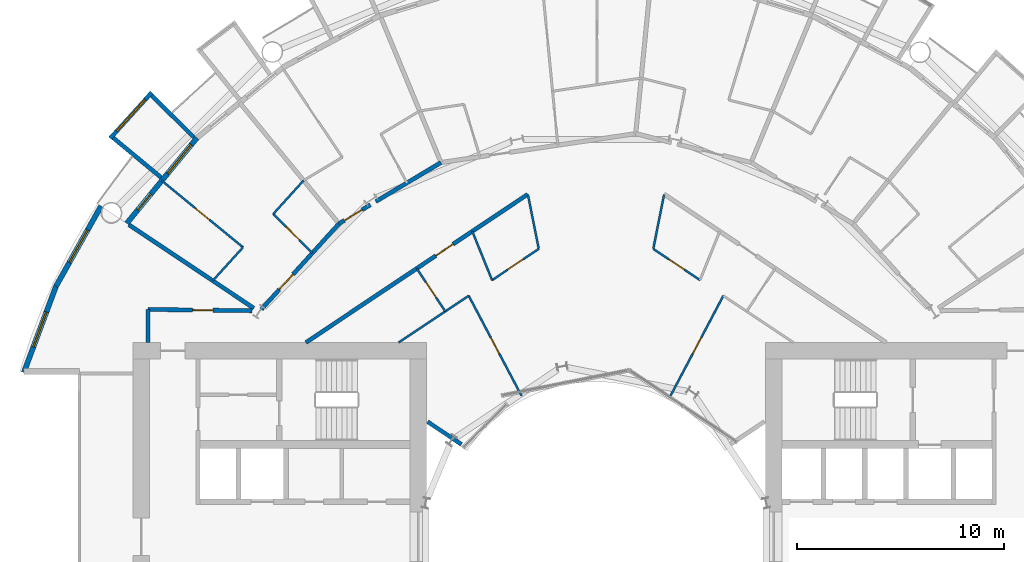
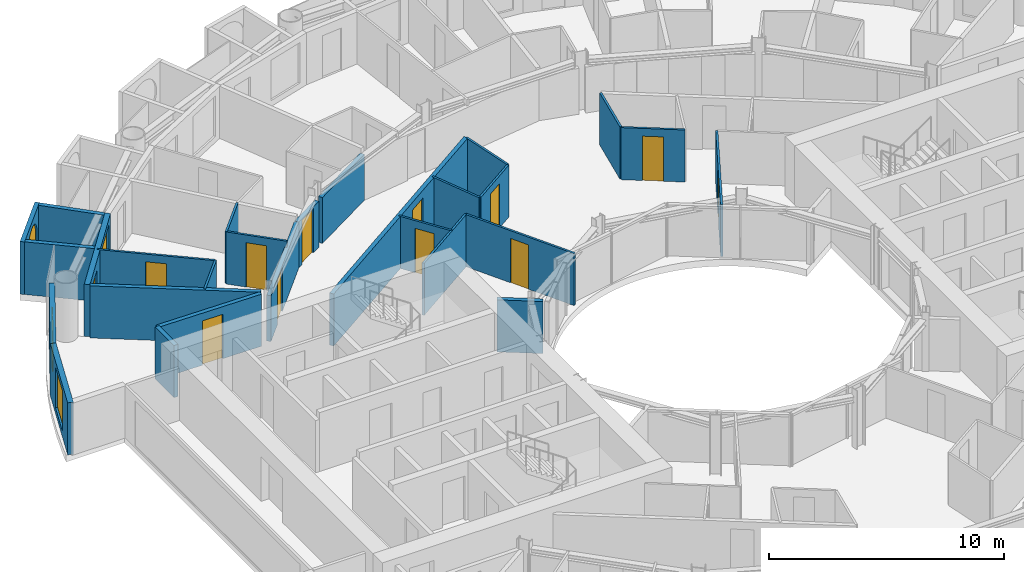
# One storey, part 18 of 26: 27 walls, 12 doors, 4 windows, 16 openings.
"""IFC4 building model written with IfcOpenShell, lengths in metres."""

from ifc_helpers import new_model, si_unit, direction, frame, frame_2d, origin, place, context, subcontext, project, spatial, rectangle, circle, extrude, material, layer, layer_set, type_object, element, fill, save


model = new_model("IFC4")

# Units and contexts
model_context = context("Model", 3, precision=1e-05, world=origin(), true_north=direction((0.0, 1.0)))
body_context = subcontext(model_context, "Body", "Model", "MODEL_VIEW")
ifc_project = project(units=[si_unit("LENGTHUNIT", "METRE"), si_unit("AREAUNIT", "SQUARE_METRE"), si_unit("VOLUMEUNIT", "CUBIC_METRE"), si_unit("PLANEANGLEUNIT", "RADIAN"), si_unit("MASSUNIT", "GRAM", prefix="KILO")], contexts=[model_context])

# Site, building, storey
site_placement = place(None, origin())
site = spatial("IfcSite", under=ifc_project, at=site_placement, CompositionType="ELEMENT")
building_placement = place(site_placement, origin())
building = spatial("IfcBuilding", under=site, at=building_placement, Name="Maasbend Ring Residences", CompositionType="ELEMENT")
storey_placement = place(building_placement, frame((0.0, 0.0, 28.89990234375)))
storey = spatial("IfcBuildingStorey", under=building, at=storey_placement, Name="L07", CompositionType="ELEMENT", Elevation=28.89990234375)

# Wall, opening, door
ifc_material_1 = material(Name="Concrete C30/37", Category="concrete")
ifc_layer_1 = layer(ifc_material_1, 0.199951171875)
ifc_layer_set_1 = layer_set([ifc_layer_1], Name="Concrete C30/37")
wall_type_1 = type_object("IfcWallType", Name="CORRIDOR WALL 200 CONCRETE", PredefinedType="PARTITIONING", material=ifc_layer_set_1)
wall_1_placement = place(storey_placement, frame((-21.675048828125, 11.0, 0.0), z_axis=(0.0, 0.0, 1.0), x_axis=(0.99992425795, -0.012307654658, 0.0)))
wall_1 = element("IfcWall", 1, at=wall_1_placement, inside=storey, type_object=wall_type_1, Name="U-L07-w078", PredefinedType="PARTITIONING", context=body_context, shape_type="SweptSolid", body=[
    extrude(rectangle(XDim=5.03857421875, YDim=0.199951171875, at=frame_2d((2.519287109375, 0.0))), origin(), (0.0, 0.0, 1.0), 2.7001953125),
])
opening_1_placement = place(wall_1_placement, frame((2.155029296875, 0.0, 0.0)))
opening_1 = element("IfcOpeningElement", 2, at=opening_1_placement, cuts=wall_1, Name="Opening D-0758", PredefinedType="OPENING", context=body_context, shape_type="SweptSolid", body=[
    extrude(rectangle(XDim=1.0, YDim=2.300048828125, at=frame_2d((0.5, 1.14990234375))), frame((0.0, 0.10986328125, 0.0), z_axis=(0.0, -1.0, 0.0), x_axis=(1.0, 0.0, 0.0)), (0.0, 0.0, 1.0), 0.219970703125),
])
ifc_material_2 = material(Name="Timber, painted", Category="wood")
door_type_1 = type_object("IfcDoorType", Name="ROOM DOOR 1000 X 2300", OperationType="NOTDEFINED", PredefinedType="DOOR", material=ifc_material_2)
door_1_placement = place(opening_1_placement, origin())
door_1 = element("IfcDoor", 3, at=door_1_placement, inside=storey, type_object=door_type_1, Name="D-0758", OperationType="SINGLE_SWING_RIGHT", OverallHeight=2.300048828125, OverallWidth=1.0, PredefinedType="DOOR", context=body_context, shape_type="SweptSolid", body=[
    extrude(rectangle(XDim=1.0, YDim=2.300048828125, at=frame_2d((0.5, 1.14990234375))), frame((0.0, 0.02490234375, 0.0), z_axis=(0.0, -1.0, 0.0), x_axis=(1.0, 0.0, 0.0)), (0.0, 0.0, 1.0), 0.050048828125),
])
fill(opening_1, door_1)

wall_2_placement = place(storey_placement, frame((-14.0390625, 9.39599609375, 0.0), z_axis=(0.0, 0.0, 1.0), x_axis=(0.831348689697, 0.555751163866, 0.0)))
wall_2 = element("IfcWall", 4, at=wall_2_placement, inside=storey, type_object=wall_type_1, Name="U-L07-w084", PredefinedType="PARTITIONING", context=body_context, shape_type="SweptSolid", body=[
    extrude(rectangle(XDim=12.9140625, YDim=0.199951171875, at=frame_2d((6.45703125, 0.0))), origin(), (0.0, 0.0, 1.0), 2.7001953125),
])
opening_2_placement = place(wall_2_placement, frame((7.568115234375, 0.0, 0.0)))
opening_2 = element("IfcOpeningElement", 5, at=opening_2_placement, cuts=wall_2, Name="Opening D-0725", PredefinedType="OPENING", context=body_context, shape_type="SweptSolid", body=[
    extrude(rectangle(XDim=1.0, YDim=2.300048828125, at=frame_2d((0.5, 1.14990234375))), frame((0.0, 0.10986328125, 0.0), z_axis=(0.0, -1.0, 0.0), x_axis=(1.0, 0.0, 0.0)), (0.0, 0.0, 1.0), 0.219970703125),
])
ifc_material_3 = material(Name="Timber, fire-rated, painted", Category="wood")
door_type_2 = type_object("IfcDoorType", Name="FLAT ENTRANCE DOOR 1000 X 2300 FIRE-RATED", OperationType="NOTDEFINED", PredefinedType="DOOR", material=ifc_material_3)
door_2_placement = place(opening_2_placement, origin())
door_2 = element("IfcDoor", 6, at=door_2_placement, inside=storey, type_object=door_type_2, Name="D-0725", OperationType="SINGLE_SWING_RIGHT", OverallHeight=2.300048828125, OverallWidth=1.0, PredefinedType="DOOR", context=body_context, shape_type="SweptSolid", body=[
    extrude(rectangle(XDim=1.0, YDim=2.300048828125, at=frame_2d((0.5, 1.14990234375))), frame((0.0, 0.02490234375, 0.0), z_axis=(0.0, -1.0, 0.0), x_axis=(1.0, 0.0, 0.0)), (0.0, 0.0, 1.0), 0.050048828125),
])
fill(opening_2, door_2)

wall_3_placement = place(storey_placement, frame((-16.193115234375, 11.0029296875, 0.0), z_axis=(0.0, 0.0, 1.0), x_axis=(0.671514934772, 0.740991020444, 0.0)))
wall_3 = element("IfcWall", 7, at=wall_3_placement, inside=storey, type_object=wall_type_1, Name="U-L07-w087", PredefinedType="PARTITIONING", context=body_context, shape_type="SweptSolid", body=[
    extrude(rectangle(XDim=5.597900390625, YDim=0.199951171875, at=frame_2d((2.798828125, 0.0))), origin(), (0.0, 0.0, 1.0), 2.380126953125),
])
opening_3_placement = place(wall_3_placement, frame((1.29296875, 0.0, 0.0)))
opening_3 = element("IfcOpeningElement", 8, at=opening_3_placement, cuts=wall_3, Name="Opening D-0718", PredefinedType="OPENING", context=body_context, shape_type="SweptSolid", body=[
    extrude(rectangle(XDim=1.0, YDim=2.300048828125, at=frame_2d((0.5, 1.14990234375))), frame((0.0, 0.10986328125, 0.0), z_axis=(0.0, -1.0, 0.0), x_axis=(1.0, 0.0, 0.0)), (0.0, 0.0, 1.0), 0.219970703125),
])
door_3_placement = place(opening_3_placement, origin())
door_3 = element("IfcDoor", 9, at=door_3_placement, inside=storey, type_object=door_type_2, Name="D-0718", OperationType="SINGLE_SWING_LEFT", OverallHeight=2.300048828125, OverallWidth=1.0, PredefinedType="DOOR", context=body_context, shape_type="SweptSolid", body=[
    extrude(rectangle(XDim=1.0, YDim=2.300048828125, at=frame_2d((0.5, 1.14990234375))), frame((0.0, 0.02490234375, 0.0), z_axis=(0.0, -1.0, 0.0), x_axis=(1.0, 0.0, 0.0)), (0.0, 0.0, 1.0), 0.050048828125),
])
fill(opening_3, door_3)

wall_4_placement = place(storey_placement, frame((-12.43896484375, 15.14599609375, 0.0), z_axis=(0.0, 0.0, 1.0), x_axis=(0.857323214505, 0.514778501757, 0.0)))
wall_4 = element("IfcWall", 10, at=wall_4_placement, inside=storey, type_object=wall_type_1, Name="U-L07-w088", PredefinedType="PARTITIONING", context=body_context, shape_type="SweptSolid", body=[
    extrude(rectangle(XDim=1.777587890625, YDim=0.199951171875, at=frame_2d((0.888671875, 0.0))), origin(), (0.0, 0.0, 1.0), 2.380126953125),
])
opening_4_placement = place(wall_4_placement, frame((0.306884765625, 0.0, 0.0)))
opening_4 = element("IfcOpeningElement", 11, at=opening_4_placement, cuts=wall_4, Name="Opening D-0715", PredefinedType="OPENING", context=body_context, shape_type="SweptSolid", body=[
    extrude(rectangle(XDim=1.0, YDim=2.300048828125, at=frame_2d((0.5, 1.14990234375))), frame((0.0, 0.10986328125, 0.0), z_axis=(0.0, -1.0, 0.0), x_axis=(1.0, 0.0, 0.0)), (0.0, 0.0, 1.0), 0.219970703125),
])
door_4_placement = place(opening_4_placement, origin())
door_4 = element("IfcDoor", 12, at=door_4_placement, inside=storey, type_object=door_type_2, Name="D-0715", OperationType="SINGLE_SWING_LEFT", OverallHeight=2.300048828125, OverallWidth=1.0, PredefinedType="DOOR", context=body_context, shape_type="SweptSolid", body=[
    extrude(rectangle(XDim=1.0, YDim=2.300048828125, at=frame_2d((0.5, 1.14990234375))), frame((0.0, 0.02490234375, 0.0), z_axis=(0.0, -1.0, 0.0), x_axis=(1.0, 0.0, 0.0)), (0.0, 0.0, 1.0), 0.050048828125),
])
fill(opening_4, door_4)

# Walls
wall_5_placement = place(storey_placement, frame((-10.653076171875, 16.218017578125, 0.0), z_axis=(0.0, 0.0, 1.0), x_axis=(0.857656999296, 0.514222200569, 0.0)))
element("IfcWall", 13, at=wall_5_placement, inside=storey, type_object=wall_type_1, Name="U-L07-w089", PredefinedType="PARTITIONING", context=body_context, shape_type="SweptSolid", body=[
    extrude(rectangle(XDim=3.67529296875, YDim=0.199951171875, at=frame_2d((1.837646484375, 0.0))), origin(), (0.0, 0.0, 1.0), 2.380126953125),
])
wall_6_placement = place(storey_placement, frame((-21.675048828125, 9.39990234375, 0.0), z_axis=(0.0, 0.0, 1.0), x_axis=(0.0, 1.0, 0.0)))
element("IfcWall", 14, at=wall_6_placement, inside=storey, type_object=wall_type_1, Name="U-L07-w098", PredefinedType="PARTITIONING", context=body_context, shape_type="SweptSolid", body=[
    extrude(rectangle(XDim=1.60009765625, YDim=0.199951171875, at=frame_2d((0.800048828125, 0.0))), origin(), (0.0, 0.0, 1.0), 2.7001953125),
])

# Wall, opening, window
ifc_material_4 = material(Name="Pale anodised aluminium panel", Category="aluminium")
ifc_layer_2 = layer(ifc_material_4, 0.199951171875)
ifc_layer_set_2 = layer_set([ifc_layer_2], Name="EW-BOX")
wall_type_2 = type_object("IfcWallType", Name="EW-BOX", PredefinedType="SOLIDWALL", material=ifc_layer_set_2)
wall_7_placement = place(storey_placement, frame((-21.492919921875, 21.5, -0.02978515625), z_axis=(0.0, 0.0, 1.0), x_axis=(-0.671506829416, -0.740998365753, 0.0)))
wall_7 = element("IfcWall", 15, at=wall_7_placement, inside=storey, type_object=wall_type_2, Name="Box front N19", PredefinedType="SOLIDWALL", context=body_context, shape_type="SweptSolid", body=[
    extrude(rectangle(XDim=2.9931640625, YDim=0.199951171875, at=frame_2d((1.49658203125, 0.0))), origin(), (0.0, 0.0, 1.0), 2.72998046875),
])
opening_5_placement = place(wall_7_placement, frame((0.45654296875, 0.0, 0.330078125)))
opening_5 = element("IfcOpeningElement", 16, at=opening_5_placement, cuts=wall_7, Name="Opening W-RD", PredefinedType="OPENING", context=body_context, shape_type="SweptSolid", body=[
    extrude(circle(Radius=1.0400390625, at=frame_2d((1.0400390625, 1.0400390625))), frame((0.0, 0.10986328125, 0.0), z_axis=(0.0, -1.0, 0.0), x_axis=(1.0, 0.0, 0.0)), (0.0, 0.0, 1.0), 0.219970703125),
])
ifc_material_5 = material(Name="Aluminium and clear glass", Category="aluminium")
window_type_1 = type_object("IfcWindowType", Name="W-RD", PartitioningType="SINGLE_PANEL", PredefinedType="WINDOW", material=ifc_material_5)
window_1_placement = place(opening_5_placement, origin())
window_1 = element("IfcWindow", 17, at=window_1_placement, inside=storey, type_object=window_type_1, Name="Round window N19", OverallHeight=2.080078125, OverallWidth=2.080078125, PartitioningType="SINGLE_PANEL", PredefinedType="WINDOW", context=body_context, shape_type="SweptSolid", body=[
    extrude(circle(Radius=1.0400390625, at=frame_2d((1.0400390625, 1.0400390625))), frame((0.0, 0.030029296875, 0.0), z_axis=(0.0, -1.0, 0.0), x_axis=(1.0, 0.0, 0.0)), (0.0, 0.0, 1.0), 0.06005859375),
])
fill(opening_5, window_1)

# Walls
wall_8_placement = place(storey_placement, frame((-19.449951171875, 19.322998046875, -0.02978515625), z_axis=(0.0, 0.0, 1.0), x_axis=(-0.709727076896, 0.704476739375, 0.0)))
element("IfcWall", 18, at=wall_8_placement, inside=storey, type_object=wall_type_2, Name="Box side wall N19 left", PredefinedType="SOLIDWALL", context=body_context, shape_type="SweptSolid", body=[
    extrude(rectangle(XDim=2.883056640625, YDim=0.199951171875, at=frame_2d((1.44140625, 0.0))), origin(), (0.0, 0.0, 1.0), 2.72998046875),
])
wall_9_placement = place(storey_placement, frame((-21.041015625, 17.384033203125, -0.02978515625), z_axis=(0.0, 0.0, 1.0), x_axis=(-0.770784861449, 0.63709551667, 0.0)))
element("IfcWall", 19, at=wall_9_placement, inside=storey, type_object=wall_type_2, Name="Box side wall N19 right", PredefinedType="SOLIDWALL", context=body_context, shape_type="SweptSolid", body=[
    extrude(rectangle(XDim=3.005859375, YDim=0.199951171875, at=frame_2d((1.5029296875, 0.0))), origin(), (0.0, 0.0, 1.0), 2.72998046875),
])

# Wall, openings, door, window
ifc_material_6 = material(Name="Aluminium clad insulated panel", Category="aluminium")
ifc_layer_3 = layer(ifc_material_6, 0.25)
ifc_layer_set_3 = layer_set([ifc_layer_3], Name="EW-GL")
wall_type_3 = type_object("IfcWallType", Name="EW-GL", PredefinedType="SOLIDWALL", material=ifc_layer_set_3)
wall_10_placement = place(storey_placement, frame((-19.303955078125, 19.303955078125, 0.0), z_axis=(0.0, 0.0, 1.0), x_axis=(-0.634382322723, -0.773019449054, 0.0)))
wall_10 = element("IfcWall", 20, at=wall_10_placement, inside=storey, type_object=wall_type_3, Name="External wall N10", PredefinedType="SOLIDWALL", context=body_context, shape_type="SweptSolid", body=[
    extrude(rectangle(XDim=5.351806640625, YDim=0.25, at=frame_2d((2.67578125, 0.0))), origin(), (0.0, 0.0, 1.0), 2.7001953125),
])
opening_6_placement = place(wall_10_placement, frame((0.441162109375, 0.0, 0.300048828125)))
opening_6 = element("IfcOpeningElement", 21, at=opening_6_placement, cuts=wall_10, Name="Opening W-BX", PredefinedType="OPENING", context=body_context, shape_type="SweptSolid", body=[
    extrude(rectangle(XDim=1.800048828125, YDim=2.10009765625, at=frame_2d((0.89990234375, 1.050048828125))), frame((0.0, 0.135009765625, 0.0), z_axis=(0.0, -1.0, 0.0), x_axis=(1.0, 0.0, 0.0)), (0.0, 0.0, 1.0), 0.27001953125),
])
opening_7_placement = place(wall_10_placement, frame((3.510498046875, 0.0, 0.0)))
opening_7 = element("IfcOpeningElement", 22, at=opening_7_placement, cuts=wall_10, Name="Opening D-LG", PredefinedType="OPENING", context=body_context, shape_type="SweptSolid", body=[
    extrude(rectangle(XDim=1.0, YDim=2.199951171875, at=frame_2d((0.5, 1.10009765625))), frame((0.0, 0.135009765625, 0.0), z_axis=(0.0, -1.0, 0.0), x_axis=(1.0, 0.0, 0.0)), (0.0, 0.0, 1.0), 0.27001953125),
])
ifc_material_7 = material(Name="Aluminium and clear glass", Category="aluminium")
door_type_3 = type_object("IfcDoorType", Name="D-LG", OperationType="SINGLE_SWING_LEFT", PredefinedType="DOOR", material=ifc_material_7)
door_5_placement = place(opening_7_placement, origin())
door_5 = element("IfcDoor", 23, at=door_5_placement, inside=storey, type_object=door_type_3, Name="Loggia door N20", OperationType="SINGLE_SWING_LEFT", OverallHeight=2.199951171875, OverallWidth=1.0, PredefinedType="DOOR", context=body_context, shape_type="SweptSolid", body=[
    extrude(rectangle(XDim=1.0, YDim=2.199951171875, at=frame_2d((0.5, 1.10009765625))), frame((0.0, 0.02490234375, 0.0), z_axis=(0.0, -1.0, 0.0), x_axis=(1.0, 0.0, 0.0)), (0.0, 0.0, 1.0), 0.050048828125),
])
fill(opening_7, door_5)
ifc_material_8 = material(Name="Aluminium and clear glass", Category="aluminium")
window_type_2 = type_object("IfcWindowType", Name="W-BX", PartitioningType="DOUBLE_PANEL_VERTICAL", PredefinedType="WINDOW", material=ifc_material_8)
window_2_placement = place(opening_6_placement, origin())
window_2 = element("IfcWindow", 24, at=window_2_placement, inside=storey, type_object=window_type_2, Name="Window N19 room to box", OverallHeight=2.10009765625, OverallWidth=1.800048828125, PartitioningType="SINGLE_PANEL", PredefinedType="WINDOW", context=body_context, shape_type="SweptSolid", body=[
    extrude(rectangle(XDim=1.800048828125, YDim=2.10009765625, at=frame_2d((0.89990234375, 1.050048828125))), frame((0.0, 0.030029296875, 0.0), z_axis=(0.0, -1.0, 0.0), x_axis=(1.0, 0.0, 0.0)), (0.0, 0.0, 1.0), 0.06005859375),
])
fill(opening_6, window_2)

# Wall, opening, window
ifc_material_9 = material(Name="Aluminium clad insulated panel", Category="aluminium")
ifc_layer_4 = layer(ifc_material_9, 0.25)
ifc_layer_set_4 = layer_set([ifc_layer_4], Name="EW-HORN")
wall_type_4 = type_object("IfcWallType", Name="EW-HORN", PredefinedType="SOLIDWALL", material=ifc_layer_set_4)
wall_11_placement = place(storey_placement, frame((-23.946044921875, 16.0, 0.0), z_axis=(0.0, 0.0, 1.0), x_axis=(-0.489696356642, -0.871893042919, 0.0)))
wall_11 = element("IfcWall", 25, at=wall_11_placement, inside=storey, type_object=wall_type_4, Name="Horn wall 4.1", PredefinedType="SOLIDWALL", context=body_context, shape_type="SweptSolid", body=[
    extrude(rectangle(XDim=4.45361328125, YDim=0.25, at=frame_2d((2.226806640625, 0.0))), origin(), (0.0, 0.0, 1.0), 2.7001953125),
])
opening_8_placement = place(wall_11_placement, frame((1.32666015625, 0.0, 0.300048828125)))
opening_8 = element("IfcOpeningElement", 26, at=opening_8_placement, cuts=wall_11, Name="Opening W-BX", PredefinedType="OPENING", context=body_context, shape_type="SweptSolid", body=[
    extrude(rectangle(XDim=1.800048828125, YDim=2.10009765625, at=frame_2d((0.89990234375, 1.050048828125))), frame((0.0, 0.135009765625, 0.0), z_axis=(0.0, -1.0, 0.0), x_axis=(1.0, 0.0, 0.0)), (0.0, 0.0, 1.0), 0.27001953125),
])
window_3_placement = place(opening_8_placement, origin())
window_3 = element("IfcWindow", 27, at=window_3_placement, inside=storey, type_object=window_type_2, Name="Horn window 4.1", OverallHeight=2.10009765625, OverallWidth=1.800048828125, PartitioningType="SINGLE_PANEL", PredefinedType="WINDOW", context=body_context, shape_type="SweptSolid", body=[
    extrude(rectangle(XDim=1.800048828125, YDim=2.10009765625, at=frame_2d((0.89990234375, 1.050048828125))), frame((0.0, 0.030029296875, 0.0), z_axis=(0.0, -1.0, 0.0), x_axis=(1.0, 0.0, 0.0)), (0.0, 0.0, 1.0), 0.06005859375),
])
fill(opening_8, window_3)

wall_12_placement = place(storey_placement, frame((-26.126953125, 12.116943359375, 0.0), z_axis=(0.0, 0.0, 1.0), x_axis=(-0.349247811493, -0.937030397675, 0.0)))
wall_12 = element("IfcWall", 28, at=wall_12_placement, inside=storey, type_object=wall_type_4, Name="Horn wall 4.2", PredefinedType="SOLIDWALL", context=body_context, shape_type="SweptSolid", body=[
    extrude(rectangle(XDim=4.4521484375, YDim=0.25, at=frame_2d((2.22607421875, 0.0))), origin(), (0.0, 0.0, 1.0), 2.7001953125),
])
opening_9_placement = place(wall_12_placement, frame((1.32666015625, 0.0, 0.300048828125)))
opening_9 = element("IfcOpeningElement", 29, at=opening_9_placement, cuts=wall_12, Name="Opening W-BX", PredefinedType="OPENING", context=body_context, shape_type="SweptSolid", body=[
    extrude(rectangle(XDim=1.800048828125, YDim=2.10009765625, at=frame_2d((0.89990234375, 1.050048828125))), frame((0.0, 0.135009765625, 0.0), z_axis=(0.0, -1.0, 0.0), x_axis=(1.0, 0.0, 0.0)), (0.0, 0.0, 1.0), 0.27001953125),
])
window_4_placement = place(opening_9_placement, origin())
window_4 = element("IfcWindow", 30, at=window_4_placement, inside=storey, type_object=window_type_2, Name="Horn window 4.2", OverallHeight=2.10009765625, OverallWidth=1.800048828125, PartitioningType="SINGLE_PANEL", PredefinedType="WINDOW", context=body_context, shape_type="SweptSolid", body=[
    extrude(rectangle(XDim=1.800048828125, YDim=2.10009765625, at=frame_2d((0.89990234375, 1.050048828125))), frame((0.0, 0.030029296875, 0.0), z_axis=(0.0, -1.0, 0.0), x_axis=(1.0, 0.0, 0.0)), (0.0, 0.0, 1.0), 0.06005859375),
])
fill(opening_9, window_4)

# Wall, opening, door
ifc_material_10 = material(Name="Gypsum board on steel studs", Category="steel")
ifc_layer_5 = layer(ifc_material_10, 0.10009765625)
ifc_layer_set_5 = layer_set([ifc_layer_5], Name="PARTITION 100 GYPSUM")
wall_type_5 = type_object("IfcWallType", Name="PARTITION 100 GYPSUM", PredefinedType="PARTITIONING", material=ifc_layer_set_5)
wall_13_placement = place(storey_placement, frame((-21.011962890625, 17.23291015625, 0.0), z_axis=(0.0, 0.0, 1.0), x_axis=(0.77326214499, -0.634086472908, 0.0)))
wall_13 = element("IfcWall", 31, at=wall_13_placement, inside=storey, type_object=wall_type_5, Name="U-L07-w027", PredefinedType="PARTITIONING", context=body_context, shape_type="SweptSolid", body=[
    extrude(rectangle(XDim=5.0888671875, YDim=0.10009765625, at=frame_2d((2.54443359375, 0.0))), origin(), (0.0, 0.0, 1.0), 2.7001953125),
])
opening_10_placement = place(wall_13_placement, frame((2.093994140625, 0.0, 0.0)))
opening_10 = element("IfcOpeningElement", 32, at=opening_10_placement, cuts=wall_13, Name="Opening D-0720", PredefinedType="OPENING", context=body_context, shape_type="SweptSolid", body=[
    extrude(rectangle(XDim=0.89990234375, YDim=2.300048828125, at=frame_2d((0.449951171875, 1.14990234375))), frame((0.0, 0.06005859375, 0.0), z_axis=(0.0, -1.0, 0.0), x_axis=(1.0, 0.0, 0.0)), (0.0, 0.0, 1.0), 0.1201171875),
])
ifc_material_11 = material(Name="Timber, painted", Category="wood")
door_type_4 = type_object("IfcDoorType", Name="INTERNAL DOOR 900 X 2300", OperationType="NOTDEFINED", PredefinedType="DOOR", material=ifc_material_11)
door_6_placement = place(opening_10_placement, origin())
door_6 = element("IfcDoor", 33, at=door_6_placement, inside=storey, type_object=door_type_4, Name="D-0720", OperationType="SINGLE_SWING_RIGHT", OverallHeight=2.300048828125, OverallWidth=0.89990234375, PredefinedType="DOOR", context=body_context, shape_type="SweptSolid", body=[
    extrude(rectangle(XDim=0.89990234375, YDim=2.300048828125, at=frame_2d((0.449951171875, 1.14990234375))), frame((0.0, 0.02490234375, 0.0), z_axis=(0.0, -1.0, 0.0), x_axis=(1.0, 0.0, 0.0)), (0.0, 0.0, 1.0), 0.050048828125),
])
fill(opening_10, door_6)

wall_14_placement = place(storey_placement, frame((-15.612060546875, 15.6220703125, 0.0), z_axis=(0.0, 0.0, 1.0), x_axis=(0.706741540154, -0.707471833659, 0.0)))
wall_14 = element("IfcWall", 34, at=wall_14_placement, inside=storey, type_object=wall_type_5, Name="U-L07-w031", PredefinedType="PARTITIONING", context=body_context, shape_type="SweptSolid", body=[
    extrude(rectangle(XDim=2.67431640625, YDim=0.10009765625, at=frame_2d((1.337158203125, 0.0))), origin(), (0.0, 0.0, 1.0), 2.7001953125),
])
opening_11_placement = place(wall_14_placement, frame((0.886962890625, 0.0, 0.0)))
opening_11 = element("IfcOpeningElement", 35, at=opening_11_placement, cuts=wall_14, Name="Opening D-0719", PredefinedType="OPENING", context=body_context, shape_type="SweptSolid", body=[
    extrude(rectangle(XDim=0.89990234375, YDim=2.300048828125, at=frame_2d((0.449951171875, 1.14990234375))), frame((0.0, 0.06005859375, 0.0), z_axis=(0.0, -1.0, 0.0), x_axis=(1.0, 0.0, 0.0)), (0.0, 0.0, 1.0), 0.1201171875),
])
door_7_placement = place(opening_11_placement, origin())
door_7 = element("IfcDoor", 36, at=door_7_placement, inside=storey, type_object=door_type_4, Name="D-0719", OperationType="SINGLE_SWING_RIGHT", OverallHeight=2.300048828125, OverallWidth=0.89990234375, PredefinedType="DOOR", context=body_context, shape_type="SweptSolid", body=[
    extrude(rectangle(XDim=0.89990234375, YDim=2.300048828125, at=frame_2d((0.449951171875, 1.14990234375))), frame((0.0, 0.02490234375, 0.0), z_axis=(0.0, -1.0, 0.0), x_axis=(1.0, 0.0, 0.0)), (0.0, 0.0, 1.0), 0.050048828125),
])
fill(opening_11, door_7)

wall_15_placement = place(storey_placement, frame((-8.674072265625, 12.98193359375, 0.0), z_axis=(0.0, 0.0, 1.0), x_axis=(0.555355163998, -0.831613276602, 0.0)))
wall_15 = element("IfcWall", 37, at=wall_15_placement, inside=storey, type_object=wall_type_5, Name="U-L07-w039", PredefinedType="PARTITIONING", context=body_context, shape_type="SweptSolid", body=[
    extrude(rectangle(XDim=2.493896484375, YDim=0.10009765625, at=frame_2d((1.2470703125, 0.0))), origin(), (0.0, 0.0, 1.0), 2.7001953125),
])
opening_12_placement = place(wall_15_placement, frame((0.797119140625, 0.0, 0.0)))
opening_12 = element("IfcOpeningElement", 38, at=opening_12_placement, cuts=wall_15, Name="Opening D-0727", PredefinedType="OPENING", context=body_context, shape_type="SweptSolid", body=[
    extrude(rectangle(XDim=0.89990234375, YDim=2.300048828125, at=frame_2d((0.449951171875, 1.14990234375))), frame((0.0, 0.06005859375, 0.0), z_axis=(0.0, -1.0, 0.0), x_axis=(1.0, 0.0, 0.0)), (0.0, 0.0, 1.0), 0.1201171875),
])
door_8_placement = place(opening_12_placement, origin())
door_8 = element("IfcDoor", 39, at=door_8_placement, inside=storey, type_object=door_type_4, Name="D-0727", OperationType="SINGLE_SWING_RIGHT", OverallHeight=2.300048828125, OverallWidth=0.89990234375, PredefinedType="DOOR", context=body_context, shape_type="SweptSolid", body=[
    extrude(rectangle(XDim=0.89990234375, YDim=2.300048828125, at=frame_2d((0.449951171875, 1.14990234375))), frame((0.0, 0.02490234375, 0.0), z_axis=(0.0, -1.0, 0.0), x_axis=(1.0, 0.0, 0.0)), (0.0, 0.0, 1.0), 0.050048828125),
])
fill(opening_12, door_8)

wall_16_placement = place(storey_placement, frame((-6.159912109375, 11.6630859375, 0.0), z_axis=(0.0, 0.0, 1.0), x_axis=(0.466976820365, -0.884269556889, 0.0)))
wall_16 = element("IfcWall", 40, at=wall_16_placement, inside=storey, type_object=wall_type_5, Name="U-L07-w042", PredefinedType="PARTITIONING", context=body_context, shape_type="SweptSolid", body=[
    extrude(rectangle(XDim=5.46923828125, YDim=0.10009765625, at=frame_2d((2.734619140625, 0.0))), origin(), (0.0, 0.0, 1.0), 2.7001953125),
])
opening_13_placement = place(wall_16_placement, frame((2.284912109375, 0.0, 0.0)))
opening_13 = element("IfcOpeningElement", 41, at=opening_13_placement, cuts=wall_16, Name="Opening D-0728", PredefinedType="OPENING", context=body_context, shape_type="SweptSolid", body=[
    extrude(rectangle(XDim=0.89990234375, YDim=2.300048828125, at=frame_2d((0.449951171875, 1.14990234375))), frame((0.0, 0.06005859375, 0.0), z_axis=(0.0, -1.0, 0.0), x_axis=(1.0, 0.0, 0.0)), (0.0, 0.0, 1.0), 0.1201171875),
])
door_9_placement = place(opening_13_placement, origin())
door_9 = element("IfcDoor", 42, at=door_9_placement, inside=storey, type_object=door_type_4, Name="D-0728", OperationType="SINGLE_SWING_RIGHT", OverallHeight=2.300048828125, OverallWidth=0.89990234375, PredefinedType="DOOR", context=body_context, shape_type="SweptSolid", body=[
    extrude(rectangle(XDim=0.89990234375, YDim=2.300048828125, at=frame_2d((0.449951171875, 1.14990234375))), frame((0.0, 0.02490234375, 0.0), z_axis=(0.0, -1.0, 0.0), x_axis=(1.0, 0.0, 0.0)), (0.0, 0.0, 1.0), 0.050048828125),
])
fill(opening_13, door_9)

# Wall
wall_17_placement = place(storey_placement, frame((-5.986083984375, 14.779052734375, 0.0), z_axis=(0.0, 0.0, 1.0), x_axis=(0.375649498413, -0.926761811008, 0.0)))
element("IfcWall", 43, at=wall_17_placement, inside=storey, type_object=wall_type_5, Name="U-L07-w045", PredefinedType="PARTITIONING", context=body_context, shape_type="SweptSolid", body=[
    extrude(rectangle(XDim=2.547607421875, YDim=0.10009765625, at=frame_2d((1.27392578125, 0.0))), origin(), (0.0, 0.0, 1.0), 2.7001953125),
])

# Wall, opening, door
wall_18_placement = place(storey_placement, frame((3.60595703125, 6.826904296875, 0.0), z_axis=(0.0, 0.0, 1.0), x_axis=(0.466976820365, 0.884269556889, 0.0)))
wall_18 = element("IfcWall", 44, at=wall_18_placement, inside=storey, type_object=wall_type_5, Name="U-L07-w053", PredefinedType="PARTITIONING", context=body_context, shape_type="SweptSolid", body=[
    extrude(rectangle(XDim=5.46923828125, YDim=0.10009765625, at=frame_2d((2.734619140625, 0.0))), origin(), (0.0, 0.0, 1.0), 2.7001953125),
])
opening_14_placement = place(wall_18_placement, frame((2.283935546875, 0.0, 0.0)))
opening_14 = element("IfcOpeningElement", 45, at=opening_14_placement, cuts=wall_18, Name="Opening D-0724", PredefinedType="OPENING", context=body_context, shape_type="SweptSolid", body=[
    extrude(rectangle(XDim=0.89990234375, YDim=2.300048828125, at=frame_2d((0.449951171875, 1.14990234375))), frame((0.0, 0.06005859375, 0.0), z_axis=(0.0, -1.0, 0.0), x_axis=(1.0, 0.0, 0.0)), (0.0, 0.0, 1.0), 0.1201171875),
])
door_10_placement = place(opening_14_placement, origin())
door_10 = element("IfcDoor", 46, at=door_10_placement, inside=storey, type_object=door_type_4, Name="D-0724", OperationType="SINGLE_SWING_LEFT", OverallHeight=2.300048828125, OverallWidth=0.89990234375, PredefinedType="DOOR", context=body_context, shape_type="SweptSolid", body=[
    extrude(rectangle(XDim=0.89990234375, YDim=2.300048828125, at=frame_2d((0.449951171875, 1.14990234375))), frame((0.0, 0.02490234375, 0.0), z_axis=(0.0, -1.0, 0.0), x_axis=(1.0, 0.0, 0.0)), (0.0, 0.0, 1.0), 0.050048828125),
])
fill(opening_14, door_10)

# Wall
wall_19_placement = place(storey_placement, frame((-9.5458984375, 9.39990234375, 0.0), z_axis=(0.0, 0.0, 1.0), x_axis=(0.831459707426, 0.555585056429, 0.0)))
element("IfcWall", 47, at=wall_19_placement, inside=storey, type_object=wall_type_5, Name="U-L07-w080", PredefinedType="PARTITIONING", context=body_context, shape_type="SweptSolid", body=[
    extrude(rectangle(XDim=4.073486328125, YDim=0.10009765625, at=frame_2d((2.03662109375, 0.0))), origin(), (0.0, 0.0, 1.0), 2.7001953125),
])

# Wall, opening, door
wall_20_placement = place(storey_placement, frame((-5.030029296875, 12.4169921875, 0.0), z_axis=(0.0, 0.0, 1.0), x_axis=(0.831538390496, 0.555467285384, 0.0)))
wall_20 = element("IfcWall", 48, at=wall_20_placement, inside=storey, type_object=wall_type_5, Name="U-L07-w081", PredefinedType="PARTITIONING", context=body_context, shape_type="SweptSolid", body=[
    extrude(rectangle(XDim=2.716796875, YDim=0.10009765625, at=frame_2d((1.3583984375, 0.0))), origin(), (0.0, 0.0, 1.0), 2.7001953125),
])
opening_15_placement = place(wall_20_placement, frame((0.909912109375, 0.0, 0.0)))
opening_15 = element("IfcOpeningElement", 49, at=opening_15_placement, cuts=wall_20, Name="Opening D-0726", PredefinedType="OPENING", context=body_context, shape_type="SweptSolid", body=[
    extrude(rectangle(XDim=0.89990234375, YDim=2.300048828125, at=frame_2d((0.449951171875, 1.14990234375))), frame((0.0, 0.06005859375, 0.0), z_axis=(0.0, -1.0, 0.0), x_axis=(1.0, 0.0, 0.0)), (0.0, 0.0, 1.0), 0.1201171875),
])
door_11_placement = place(opening_15_placement, origin())
door_11 = element("IfcDoor", 50, at=door_11_placement, inside=storey, type_object=door_type_4, Name="D-0726", OperationType="SINGLE_SWING_RIGHT", OverallHeight=2.300048828125, OverallWidth=0.89990234375, PredefinedType="DOOR", context=body_context, shape_type="SweptSolid", body=[
    extrude(rectangle(XDim=0.89990234375, YDim=2.300048828125, at=frame_2d((0.449951171875, 1.14990234375))), frame((0.0, 0.02490234375, 0.0), z_axis=(0.0, -1.0, 0.0), x_axis=(1.0, 0.0, 0.0)), (0.0, 0.0, 1.0), 0.050048828125),
])
fill(opening_15, door_11)

wall_21_placement = place(storey_placement, frame((2.77099609375, 13.926025390625, 0.0), z_axis=(0.0, 0.0, 1.0), x_axis=(0.831538390496, -0.555467285384, 0.0)))
wall_21 = element("IfcWall", 51, at=wall_21_placement, inside=storey, type_object=wall_type_5, Name="U-L07-w082", PredefinedType="PARTITIONING", context=body_context, shape_type="SweptSolid", body=[
    extrude(rectangle(XDim=2.716796875, YDim=0.10009765625, at=frame_2d((1.3583984375, 0.0))), origin(), (0.0, 0.0, 1.0), 2.7001953125),
])
opening_16_placement = place(wall_21_placement, frame((0.906982421875, 0.0, 0.0)))
opening_16 = element("IfcOpeningElement", 52, at=opening_16_placement, cuts=wall_21, Name="Opening D-0722", PredefinedType="OPENING", context=body_context, shape_type="SweptSolid", body=[
    extrude(rectangle(XDim=0.89990234375, YDim=2.300048828125, at=frame_2d((0.449951171875, 1.14990234375))), frame((0.0, 0.06005859375, 0.0), z_axis=(0.0, -1.0, 0.0), x_axis=(1.0, 0.0, 0.0)), (0.0, 0.0, 1.0), 0.1201171875),
])
door_12_placement = place(opening_16_placement, origin())
door_12 = element("IfcDoor", 53, at=door_12_placement, inside=storey, type_object=door_type_4, Name="D-0722", OperationType="SINGLE_SWING_LEFT", OverallHeight=2.300048828125, OverallWidth=0.89990234375, PredefinedType="DOOR", context=body_context, shape_type="SweptSolid", body=[
    extrude(rectangle(XDim=0.89990234375, YDim=2.300048828125, at=frame_2d((0.449951171875, 1.14990234375))), frame((0.0, 0.02490234375, 0.0), z_axis=(0.0, -1.0, 0.0), x_axis=(1.0, 0.0, 0.0)), (0.0, 0.0, 1.0), 0.050048828125),
])
fill(opening_16, door_12)

# Walls
for number, where, z_axis, x_axis, name in (
    (54, (-18.5380859375, 12.39404296875, 0.0), (0.0, 0.0, 1.0), (0.67169789574, 0.740825172937, 0.0), "U-L07-w099"),
    (55, (-15.613037109375, 15.62109375, 0.0), (0.0, 0.0, 1.0), (0.67169789574, 0.740825172937, 0.0), "U-L07-w100"),
):
    element("IfcWall", number, at=place(storey_placement, frame(where, z_axis=z_axis, x_axis=x_axis)), inside=storey, type_object=wall_type_5, Name=name, PredefinedType="PARTITIONING", context=body_context, shape_type="SweptSolid", body=[
        extrude(rectangle(XDim=2.1826171875, YDim=0.10009765625, at=frame_2d((1.09130859375, 0.0))), origin(), (0.0, 0.0, 1.0), 2.7001953125),
    ])
for number, where, z_axis, x_axis, name in (
    (56, (2.77392578125, 13.947998046875, 0.0), (0.0, 0.0, 1.0), (0.195338620417, 0.980735858105, 0.0), "U-L07-w109"),
    (57, (-3.29296875, 16.553955078125, 0.0), (0.0, 0.0, 1.0), (0.195338620417, -0.980735858105, 0.0), "U-L07-w110"),
):
    element("IfcWall", number, at=place(storey_placement, frame(where, z_axis=z_axis, x_axis=x_axis)), inside=storey, type_object=wall_type_5, Name=name, PredefinedType="PARTITIONING", context=body_context, shape_type="SweptSolid", body=[
        extrude(rectangle(XDim=2.6572265625, YDim=0.10009765625, at=frame_2d((1.32861328125, 0.0))), origin(), (0.0, 0.0, 1.0), 2.7001953125),
    ])
ifc_material_12 = material(Name="Concrete C30/37", Category="concrete")
ifc_layer_6 = layer(ifc_material_12, 0.199951171875)
ifc_layer_set_6 = layer_set([ifc_layer_6], Name="Concrete C30/37")
wall_type_6 = type_object("IfcWallType", Name="PARTY WALL 200 CONCRETE", PredefinedType="PARTITIONING", material=ifc_layer_set_6)
wall_22_placement = place(storey_placement, frame((-22.594970703125, 15.096923828125, 0.0), z_axis=(0.0, 0.0, 1.0), x_axis=(0.831465568067, -0.555576285599, 0.0)))
element("IfcWall", 58, at=wall_22_placement, inside=storey, type_object=wall_type_6, Name="U-L07-w026", PredefinedType="PARTITIONING", context=body_context, shape_type="SweptSolid", body=[
    extrude(rectangle(XDim=7.264404296875, YDim=0.199951171875, at=frame_2d((3.63232421875, 0.0))), origin(), (0.0, 0.0, 1.0), 2.7001953125),
])
wall_23_placement = place(storey_placement, frame((-6.512939453125, 4.471923828125, 0.0), z_axis=(0.0, 0.0, 1.0), x_axis=(-0.831417956244, 0.555647533996, 0.0)))
element("IfcWall", 59, at=wall_23_placement, inside=storey, type_object=wall_type_6, Name="U-L07-w076", PredefinedType="PARTITIONING", context=body_context, shape_type="SweptSolid", body=[
    extrude(rectangle(XDim=1.9619140625, YDim=0.199951171875, at=frame_2d((0.98095703125, 0.0))), origin(), (0.0, 0.0, 1.0), 2.7001953125),
])

save(model, "model.ifc")
